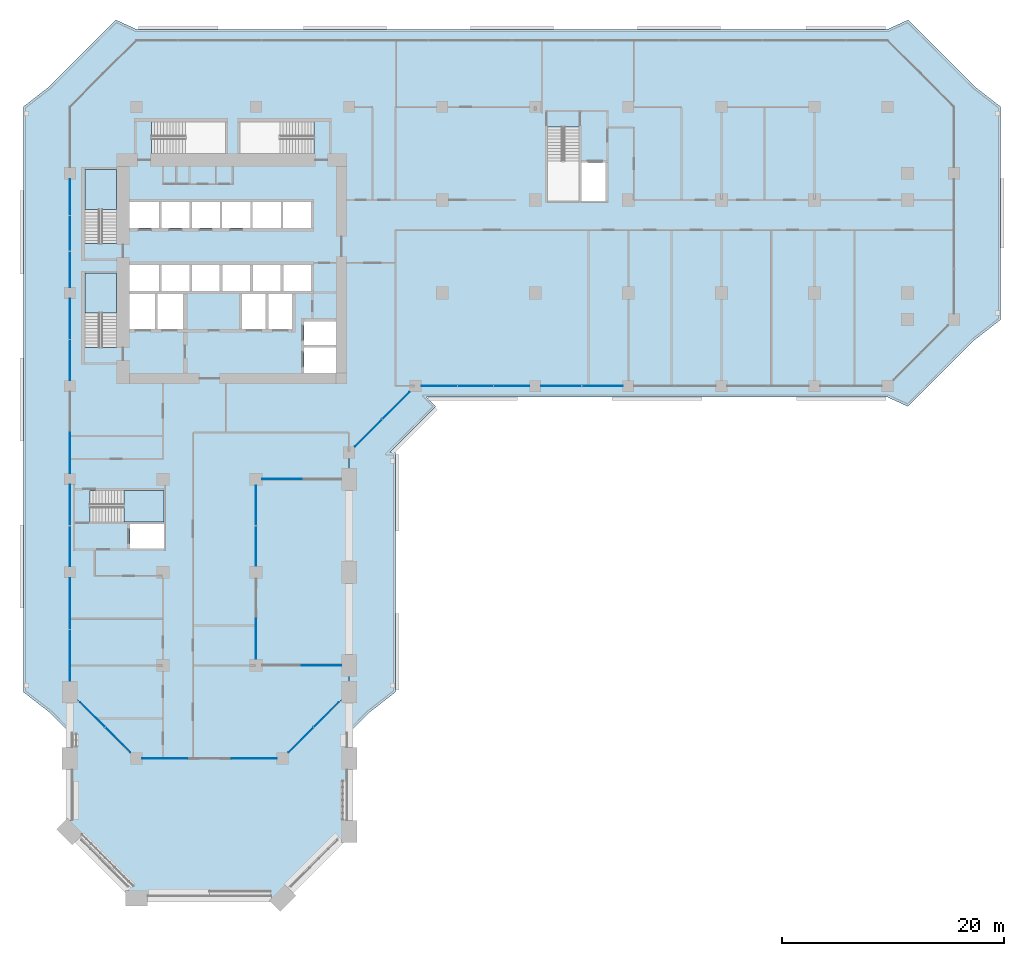
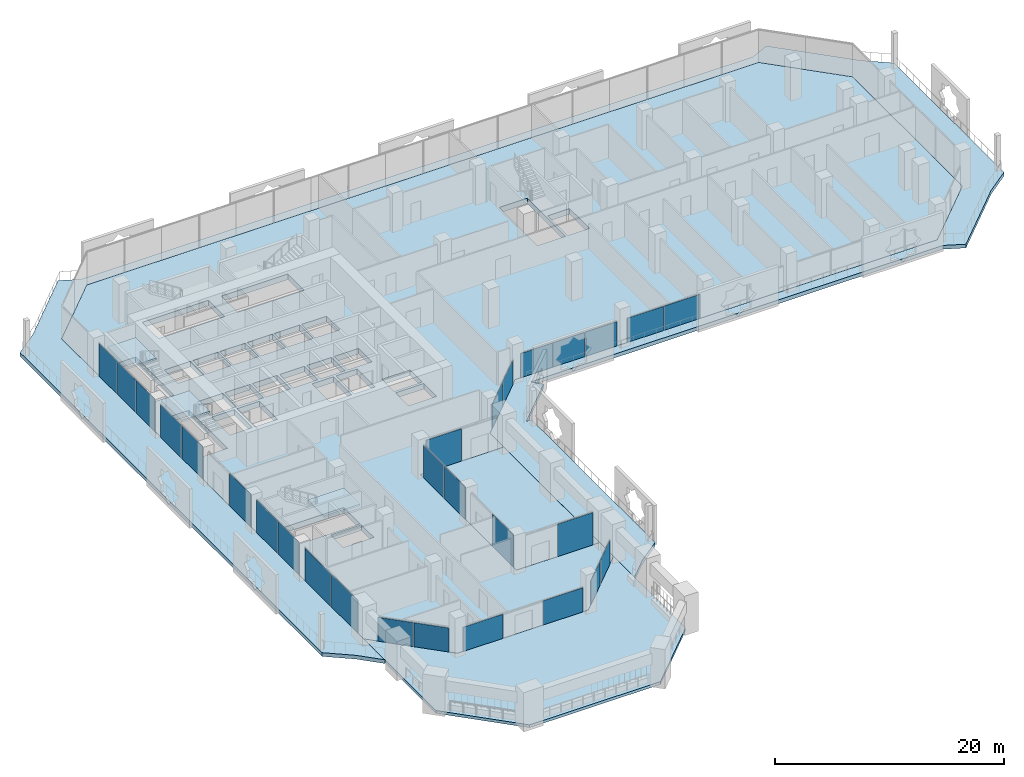
# One storey, part 11 of 25: 28 plates, 7 slabs, 12 elements without a shape of their own.
"""IFC4 building model written with IfcOpenShell, lengths in metres."""

from ifc_helpers import new_model, si_unit, direction, frame, origin, origin_2d, place, context, subcontext, project, spatial, polyline, rectangle, outline, extrude, material, layer, layer_set, type_object, element, aggregate, save


model = new_model("IFC4")

# Units and contexts
model_context = context("Model", 3, precision=1e-05, world=origin(), true_north=direction((0.0, 1.0)))
body_context = subcontext(model_context, "Body", "Model", "MODEL_VIEW")
ifc_project = project(units=[si_unit("LENGTHUNIT", "METRE"), si_unit("AREAUNIT", "SQUARE_METRE"), si_unit("VOLUMEUNIT", "CUBIC_METRE"), si_unit("PLANEANGLEUNIT", "RADIAN"), si_unit("MASSUNIT", "GRAM", prefix="KILO")], contexts=[model_context])

# Site, building, storey
site_placement = place(None, origin())
site = spatial("IfcSite", under=ifc_project, at=site_placement, CompositionType="ELEMENT")
building_placement = place(site_placement, origin())
building = spatial("IfcBuilding", under=site, at=building_placement, Name="Kawkab Arch Medical Tower", CompositionType="ELEMENT")
storey_placement = place(building_placement, frame((0.0, 0.0, 98.800048828125)))
storey = spatial("IfcBuildingStorey", under=building, at=storey_placement, Name="L22", CompositionType="ELEMENT", Elevation=98.800048828125)

# Curtain wall, plates
ifc_material_1 = material(Name="Bronze anodised aluminium curtain wall frame", Category="aluminium")
ifc_layer_1 = layer(ifc_material_1, 0.159912109375)
ifc_layer_set_1 = layer_set([ifc_layer_1], Name="Bronze anodised aluminium curtain wall frame")
curtain_wall_type_1 = type_object("IfcCurtainWallType", Name="CW1 ward curtain wall", PredefinedType="NOTDEFINED", material=ifc_layer_set_1)
placement_1 = place(storey_placement, origin())
curtain_wall_1 = element("IfcCurtainWall", 1, at=placement_1, inside=storey, type_object=curtain_wall_type_1, Name="CW1 Ward curtain wall R07", PredefinedType="NOTDEFINED")
ifc_material_2 = material(Name="Tinted insulating glass, bronze low-e coating", Category="glass")
ifc_layer_2 = layer(ifc_material_2, 0.031982421875)
ifc_layer_set_2 = layer_set([ifc_layer_2], Name="Tinted insulating glass, bronze low-e coating")
plate_type_1 = type_object("IfcPlateType", Name="CW1 glazing unit 32", PredefinedType="CURTAIN_PANEL", material=ifc_layer_set_2)
plate_1_placement = place(storey_placement, frame((33.355712890625, -25.199951171875, 0.0), z_axis=(0.0, 0.0, 1.0), x_axis=(1.0, 0.0, 0.0)))
plate_1 = element("IfcPlate", 2, at=plate_1_placement, type_object=plate_type_1, Name="CW1 glazing unit 1.1", PredefinedType="CURTAIN_PANEL", context=body_context, shape_type="SweptSolid", body=[
    extrude(rectangle(XDim=3.211669921875, YDim=0.031982421875, at=origin_2d()), origin(), (0.0, 0.0, 1.0), 2.580078125),
])
plate_2_placement = place(storey_placement, frame((36.612548828125, -25.199951171875, 0.0), z_axis=(0.0, 0.0, 1.0), x_axis=(1.0, 0.0, 0.0)))
plate_2 = element("IfcPlate", 3, at=plate_2_placement, type_object=plate_type_1, Name="CW1 glazing unit 1.2", PredefinedType="CURTAIN_PANEL", context=body_context, shape_type="SweptSolid", body=[
    extrude(rectangle(XDim=3.181640625, YDim=0.031982421875, at=origin_2d()), origin(), (0.0, 0.0, 1.0), 2.580078125),
])
plate_3_placement = place(storey_placement, frame((39.869140625, -25.199951171875, 0.0), z_axis=(0.0, 0.0, 1.0), x_axis=(1.0, 0.0, 0.0)))
plate_3 = element("IfcPlate", 4, at=plate_3_placement, type_object=plate_type_1, Name="CW1 glazing unit 1.3", PredefinedType="CURTAIN_PANEL", context=body_context, shape_type="SweptSolid", body=[
    extrude(rectangle(XDim=3.211669921875, YDim=0.031982421875, at=origin_2d()), origin(), (0.0, 0.0, 1.0), 2.580078125),
])
plate_4_placement = place(storey_placement, frame((44.347412109375, -25.199951171875, 0.0), z_axis=(0.0, 0.0, 1.0), x_axis=(1.0, 0.0, 0.0)))
plate_4 = element("IfcPlate", 5, at=plate_4_placement, type_object=plate_type_1, Name="CW1 glazing unit 2.1", PredefinedType="CURTAIN_PANEL", context=body_context, shape_type="SweptSolid", body=[
    extrude(rectangle(XDim=3.64501953125, YDim=0.031982421875, at=origin_2d()), origin(), (0.0, 0.0, 1.0), 2.580078125),
])
plate_5_placement = place(storey_placement, frame((48.052490234375, -25.199951171875, 0.0), z_axis=(0.0, 0.0, 1.0), x_axis=(1.0, 0.0, 0.0)))
plate_5 = element("IfcPlate", 6, at=plate_5_placement, type_object=plate_type_1, Name="CW1 glazing unit 2.2", PredefinedType="CURTAIN_PANEL", context=body_context, shape_type="SweptSolid", body=[
    extrude(rectangle(XDim=3.64501953125, YDim=0.031982421875, at=origin_2d()), origin(), (0.0, 0.0, 1.0), 2.580078125),
])
aggregate(curtain_wall_1, [plate_1, plate_2, plate_3, plate_4, plate_5])

curtain_wall_2 = element("IfcCurtainWall", 7, at=placement_1, inside=storey, type_object=curtain_wall_type_1, Name="CW1 Ward curtain wall R13", PredefinedType="NOTDEFINED")
plate_6_placement = place(storey_placement, frame((0.0, -8.15576171875, 0.0), z_axis=(0.0, 0.0, 1.0), x_axis=(0.0, -1.0, 0.0)))
plate_6 = element("IfcPlate", 8, at=plate_6_placement, type_object=plate_type_1, Name="CW1 glazing unit 2.1", PredefinedType="CURTAIN_PANEL", context=body_context, shape_type="SweptSolid", body=[
    extrude(rectangle(XDim=3.211669921875, YDim=0.031982421875, at=origin_2d()), origin(), (0.0, 0.0, 1.0), 3.47998046875),
])
plate_7_placement = place(storey_placement, frame((0.0, -11.41259765625, 0.0), z_axis=(0.0, 0.0, 1.0), x_axis=(0.0, -1.0, 0.0)))
plate_7 = element("IfcPlate", 9, at=plate_7_placement, type_object=plate_type_1, Name="CW1 glazing unit 2.2", PredefinedType="CURTAIN_PANEL", context=body_context, shape_type="SweptSolid", body=[
    extrude(rectangle(XDim=3.181640625, YDim=0.031982421875, at=origin_2d()), origin(), (0.0, 0.0, 1.0), 3.47998046875),
])
plate_8_placement = place(storey_placement, frame((0.0, -14.669189453125, 0.0), z_axis=(0.0, 0.0, 1.0), x_axis=(0.0, -1.0, 0.0)))
plate_8 = element("IfcPlate", 10, at=plate_8_placement, type_object=plate_type_1, Name="CW1 glazing unit 2.3", PredefinedType="CURTAIN_PANEL", context=body_context, shape_type="SweptSolid", body=[
    extrude(rectangle(XDim=3.211669921875, YDim=0.031982421875, at=origin_2d()), origin(), (0.0, 0.0, 1.0), 3.47998046875),
])
plate_9_placement = place(storey_placement, frame((0.0, -19.1474609375, 0.0), z_axis=(0.0, 0.0, 1.0), x_axis=(0.0, -1.0, 0.0)))
plate_9 = element("IfcPlate", 11, at=plate_9_placement, type_object=plate_type_1, Name="CW1 glazing unit 3.1", PredefinedType="CURTAIN_PANEL", context=body_context, shape_type="SweptSolid", body=[
    extrude(rectangle(XDim=3.64501953125, YDim=0.031982421875, at=origin_2d()), origin(), (0.0, 0.0, 1.0), 3.47998046875),
])
plate_10_placement = place(storey_placement, frame((0.0, -22.8525390625, 0.0), z_axis=(0.0, 0.0, 1.0), x_axis=(0.0, -1.0, 0.0)))
plate_10 = element("IfcPlate", 12, at=plate_10_placement, type_object=plate_type_1, Name="CW1 glazing unit 3.2", PredefinedType="CURTAIN_PANEL", context=body_context, shape_type="SweptSolid", body=[
    extrude(rectangle(XDim=3.64501953125, YDim=0.031982421875, at=origin_2d()), origin(), (0.0, 0.0, 1.0), 3.47998046875),
])
plate_11_placement = place(storey_placement, frame((0.0, -31.237548828125, 0.0), z_axis=(0.0, 0.0, 1.0), x_axis=(0.0, -1.0, 0.0)))
plate_11 = element("IfcPlate", 13, at=plate_11_placement, type_object=plate_type_1, Name="CW1 glazing unit 4.2", PredefinedType="CURTAIN_PANEL", context=body_context, shape_type="SweptSolid", body=[
    extrude(rectangle(XDim=3.675048828125, YDim=0.031982421875, at=origin_2d()), origin(), (0.0, 0.0, 1.0), 3.47998046875),
])
plate_12_placement = place(storey_placement, frame((0.0, -35.947509765625, 0.0), z_axis=(0.0, 0.0, 1.0), x_axis=(0.0, -1.0, 0.0)))
plate_12 = element("IfcPlate", 14, at=plate_12_placement, type_object=plate_type_1, Name="CW1 glazing unit 5.1", PredefinedType="CURTAIN_PANEL", context=body_context, shape_type="SweptSolid", body=[
    extrude(rectangle(XDim=3.64501953125, YDim=0.031982421875, at=origin_2d()), origin(), (0.0, 0.0, 1.0), 3.47998046875),
])
plate_13_placement = place(storey_placement, frame((0.0, -39.652587890625, 0.0), z_axis=(0.0, 0.0, 1.0), x_axis=(0.0, -1.0, 0.0)))
plate_13 = element("IfcPlate", 15, at=plate_13_placement, type_object=plate_type_1, Name="CW1 glazing unit 5.2", PredefinedType="CURTAIN_PANEL", context=body_context, shape_type="SweptSolid", body=[
    extrude(rectangle(XDim=3.64501953125, YDim=0.031982421875, at=origin_2d()), origin(), (0.0, 0.0, 1.0), 3.47998046875),
])
plate_14_placement = place(storey_placement, frame((0.0, -44.828857421875, 0.0), z_axis=(0.0, 0.0, 1.0), x_axis=(0.0, -1.0, 0.0)))
plate_14 = element("IfcPlate", 16, at=plate_14_placement, type_object=plate_type_1, Name="CW1 glazing unit 6.1", PredefinedType="CURTAIN_PANEL", context=body_context, shape_type="SweptSolid", body=[
    extrude(rectangle(XDim=4.607421875, YDim=0.031982421875, at=origin_2d()), origin(), (0.0, 0.0, 1.0), 3.47998046875),
])
plate_15_placement = place(storey_placement, frame((0.0, -49.496337890625, 0.0), z_axis=(0.0, 0.0, 1.0), x_axis=(0.0, -1.0, 0.0)))
plate_15 = element("IfcPlate", 17, at=plate_15_placement, type_object=plate_type_1, Name="CW1 glazing unit 6.2", PredefinedType="CURTAIN_PANEL", context=body_context, shape_type="SweptSolid", body=[
    extrude(rectangle(XDim=4.607421875, YDim=0.031982421875, at=origin_2d()), origin(), (0.0, 0.0, 1.0), 3.47998046875),
])
aggregate(curtain_wall_2, [plate_6, plate_7, plate_8, plate_9, plate_10, plate_11, plate_12, plate_13, plate_14, plate_15])

curtain_wall_3 = element("IfcCurtainWall", 18, at=placement_1, inside=storey, type_object=curtain_wall_type_1, Name="CW1 Ward curtain wall R15", PredefinedType="NOTDEFINED")
plate_16_placement = place(storey_placement, frame((8.566650390625, -58.800048828125, 0.0), z_axis=(0.0, 0.0, 1.0), x_axis=(1.0, 0.0, 0.0)))
plate_16 = element("IfcPlate", 19, at=plate_16_placement, type_object=plate_type_1, Name="CW1 glazing unit 1.1", PredefinedType="CURTAIN_PANEL", context=body_context, shape_type="SweptSolid", body=[
    extrude(rectangle(XDim=4.033447265625, YDim=0.031982421875, at=origin_2d()), origin(), (0.0, 0.0, 1.0), 2.580078125),
])
plate_17_placement = place(storey_placement, frame((16.63330078125, -58.800048828125, 0.0), z_axis=(0.0, 0.0, 1.0), x_axis=(1.0, 0.0, 0.0)))
plate_17 = element("IfcPlate", 20, at=plate_17_placement, type_object=plate_type_1, Name="CW1 glazing unit 1.3", PredefinedType="CURTAIN_PANEL", context=body_context, shape_type="SweptSolid", body=[
    extrude(rectangle(XDim=4.033447265625, YDim=0.031982421875, at=origin_2d()), origin(), (0.0, 0.0, 1.0), 2.580078125),
])
aggregate(curtain_wall_3, [plate_16, plate_17])

ifc_material_3 = material(Name="Bronze anodised aluminium curtain wall frame", Category="aluminium")
ifc_layer_3 = layer(ifc_material_3, 0.159912109375)
ifc_layer_set_3 = layer_set([ifc_layer_3], Name="Bronze anodised aluminium curtain wall frame")
curtain_wall_type_2 = type_object("IfcCurtainWallType", Name="CW2 chamfer curtain wall", PredefinedType="NOTDEFINED", material=ifc_layer_set_3)
curtain_wall_4 = element("IfcCurtainWall", 21, at=placement_1, inside=storey, type_object=curtain_wall_type_2, Name="CW2 Chamfer curtain wall R06", PredefinedType="NOTDEFINED")
ifc_material_4 = material(Name="Tinted insulating glass, bronze low-e coating", Category="glass")
ifc_layer_4 = layer(ifc_material_4, 0.031982421875)
ifc_layer_set_4 = layer_set([ifc_layer_4], Name="Tinted insulating glass, bronze low-e coating")
plate_type_2 = type_object("IfcPlateType", Name="CW2 glazing unit 32", PredefinedType="CURTAIN_PANEL", material=ifc_layer_set_4)
plate_18_placement = place(storey_placement, frame((26.96435546875, -29.435546875, 0.0), z_axis=(0.0, 0.0, 1.0), x_axis=(0.707106781187, 0.707106781187, 0.0)))
plate_18 = element("IfcPlate", 22, at=plate_18_placement, type_object=plate_type_2, Name="CW2 glazing unit 1.1", PredefinedType="CURTAIN_PANEL", context=body_context, shape_type="SweptSolid", body=[
    extrude(rectangle(XDim=3.434814453125, YDim=0.031982421875, at=origin_2d()), origin(), (0.0, 0.0, 1.0), 2.56005859375),
])
plate_19_placement = place(storey_placement, frame((29.435546875, -26.96435546875, 0.0), z_axis=(0.0, 0.0, 1.0), x_axis=(0.707106781187, 0.707106781187, 0.0)))
plate_19 = element("IfcPlate", 23, at=plate_19_placement, type_object=plate_type_2, Name="CW2 glazing unit 1.2", PredefinedType="CURTAIN_PANEL", context=body_context, shape_type="SweptSolid", body=[
    extrude(rectangle(XDim=3.434814453125, YDim=0.031982421875, at=origin_2d()), origin(), (0.0, 0.0, 1.0), 2.56005859375),
])
aggregate(curtain_wall_4, [plate_18, plate_19])

curtain_wall_5 = element("IfcCurtainWall", 24, at=placement_1, inside=storey, type_object=curtain_wall_type_2, Name="CW2 Chamfer curtain wall R14", PredefinedType="NOTDEFINED")
plate_20_placement = place(storey_placement, frame((2.049560546875, -54.849609375, 0.0), z_axis=(0.0, 0.0, 1.0), x_axis=(0.707106781187, -0.707106781187, 0.0)))
plate_20 = element("IfcPlate", 25, at=plate_20_placement, type_object=plate_type_2, Name="CW2 glazing unit 1.1", PredefinedType="CURTAIN_PANEL", context=body_context, shape_type="SweptSolid", body=[
    extrude(rectangle(XDim=3.165771484375, YDim=0.031982421875, at=origin_2d()), origin(), (0.0, 0.0, 1.0), 2.56005859375),
])
plate_21_placement = place(storey_placement, frame((4.330810546875, -57.130615234375, 0.0), z_axis=(0.0, 0.0, 1.0), x_axis=(0.707106781187, -0.707106781187, 0.0)))
plate_21 = element("IfcPlate", 26, at=plate_21_placement, type_object=plate_type_2, Name="CW2 glazing unit 1.2", PredefinedType="CURTAIN_PANEL", context=body_context, shape_type="SweptSolid", body=[
    extrude(rectangle(XDim=3.165771484375, YDim=0.031982421875, at=origin_2d()), origin(), (0.0, 0.0, 1.0), 2.56005859375),
])
aggregate(curtain_wall_5, [plate_20, plate_21])

curtain_wall_6 = element("IfcCurtainWall", 27, at=placement_1, inside=storey, type_object=curtain_wall_type_2, Name="CW2 Chamfer curtain wall R16", PredefinedType="NOTDEFINED")
plate_22_placement = place(storey_placement, frame((20.869384765625, -57.130615234375, 0.0), z_axis=(0.0, 0.0, 1.0), x_axis=(0.707106781187, 0.707106781187, 0.0)))
plate_22 = element("IfcPlate", 28, at=plate_22_placement, type_object=plate_type_2, Name="CW2 glazing unit 1.1", PredefinedType="CURTAIN_PANEL", context=body_context, shape_type="SweptSolid", body=[
    extrude(rectangle(XDim=3.165771484375, YDim=0.031982421875, at=origin_2d()), origin(), (0.0, 0.0, 1.0), 2.56005859375),
])
plate_23_placement = place(storey_placement, frame((23.150390625, -54.849609375, 0.0), z_axis=(0.0, 0.0, 1.0), x_axis=(0.707106781187, 0.707106781187, 0.0)))
plate_23 = element("IfcPlate", 29, at=plate_23_placement, type_object=plate_type_2, Name="CW2 glazing unit 1.2", PredefinedType="CURTAIN_PANEL", context=body_context, shape_type="SweptSolid", body=[
    extrude(rectangle(XDim=3.165771484375, YDim=0.031982421875, at=origin_2d()), origin(), (0.0, 0.0, 1.0), 2.56005859375),
])
aggregate(curtain_wall_6, [plate_22, plate_23])

# Curtain wall, plate
ifc_material_5 = material(Name="Bronze anodised aluminium curtain wall frame", Category="aluminium")
ifc_layer_5 = layer(ifc_material_5, 0.159912109375)
ifc_layer_set_5 = layer_set([ifc_layer_5], Name="Bronze anodised aluminium curtain wall frame")
curtain_wall_type_3 = type_object("IfcCurtainWallType", Name="CW3 sky garden curtain wall", PredefinedType="NOTDEFINED", material=ifc_layer_set_5)
curtain_wall_7 = element("IfcCurtainWall", 30, at=placement_1, inside=storey, type_object=curtain_wall_type_3, Name="CW3 Sky garden curtain wall R02", PredefinedType="NOTDEFINED")
ifc_material_6 = material(Name="Tinted laminated insulating glass, grey-green", Category="glass")
ifc_layer_6 = layer(ifc_material_6, 0.035888671875)
ifc_layer_set_6 = layer_set([ifc_layer_6], Name="Tinted laminated insulating glass, grey-green")
plate_type_3 = type_object("IfcPlateType", Name="CW3 glazing unit 36", PredefinedType="CURTAIN_PANEL", material=ifc_layer_set_6)
plate_24_placement = place(storey_placement, frame((22.71875, -50.39990234375, 0.0), z_axis=(0.0, 0.0, 1.0), x_axis=(-1.0, 0.0, 0.0)))
plate_24 = element("IfcPlate", 31, at=plate_24_placement, type_object=plate_type_3, Name="CW3 glazing unit 1.1", PredefinedType="CURTAIN_PANEL", context=body_context, shape_type="SweptSolid", body=[
    extrude(rectangle(XDim=3.5625, YDim=0.035888671875, at=origin_2d()), origin(), (0.0, 0.0, 1.0), 3.4599609375),
])
aggregate(curtain_wall_7, [plate_24])

# Curtain wall, plates
curtain_wall_8 = element("IfcCurtainWall", 32, at=placement_1, inside=storey, type_object=curtain_wall_type_3, Name="CW3 Sky garden curtain wall R03", PredefinedType="NOTDEFINED")
plate_25_placement = place(storey_placement, frame((16.800048828125, -48.012451171875, 0.0), z_axis=(0.0, 0.0, 1.0), x_axis=(0.0, 1.0, 0.0)))
plate_25 = element("IfcPlate", 33, at=plate_25_placement, type_object=plate_type_3, Name="CW3 glazing unit 1.1", PredefinedType="CURTAIN_PANEL", context=body_context, shape_type="SweptSolid", body=[
    extrude(rectangle(XDim=3.625, YDim=0.035888671875, at=origin_2d()), origin(), (0.0, 0.0, 1.0), 3.4599609375),
])
plate_26_placement = place(storey_placement, frame((16.800048828125, -39.6298828125, 0.0), z_axis=(0.0, 0.0, 1.0), x_axis=(0.0, 1.0, 0.0)))
plate_26 = element("IfcPlate", 34, at=plate_26_placement, type_object=plate_type_3, Name="CW3 glazing unit 2.1", PredefinedType="CURTAIN_PANEL", context=body_context, shape_type="SweptSolid", body=[
    extrude(rectangle(XDim=3.590087890625, YDim=0.035888671875, at=origin_2d()), origin(), (0.0, 0.0, 1.0), 3.4599609375),
])
plate_27_placement = place(storey_placement, frame((16.800048828125, -35.969970703125, 0.0), z_axis=(0.0, 0.0, 1.0), x_axis=(0.0, 1.0, 0.0)))
plate_27 = element("IfcPlate", 35, at=plate_27_placement, type_object=plate_type_3, Name="CW3 glazing unit 2.2", PredefinedType="CURTAIN_PANEL", context=body_context, shape_type="SweptSolid", body=[
    extrude(rectangle(XDim=3.590087890625, YDim=0.035888671875, at=origin_2d()), origin(), (0.0, 0.0, 1.0), 3.4599609375),
])
aggregate(curtain_wall_8, [plate_25, plate_26, plate_27])

# Curtain wall, plate
curtain_wall_9 = element("IfcCurtainWall", 36, at=placement_1, inside=storey, type_object=curtain_wall_type_3, Name="CW3 Sky garden curtain wall R04", PredefinedType="NOTDEFINED")
plate_28_placement = place(storey_placement, frame((19.15625, -33.60009765625, 0.0), z_axis=(0.0, 0.0, 1.0), x_axis=(1.0, 0.0, 0.0)))
plate_28 = element("IfcPlate", 37, at=plate_28_placement, type_object=plate_type_3, Name="CW3 glazing unit 1.1", PredefinedType="CURTAIN_PANEL", context=body_context, shape_type="SweptSolid", body=[
    extrude(rectangle(XDim=3.5625, YDim=0.035888671875, at=origin_2d()), origin(), (0.0, 0.0, 1.0), 3.4599609375),
])
aggregate(curtain_wall_9, [plate_28])

# Stair, slab
ifc_material_7 = material(Name="Concrete C40/50", Category="concrete")
stair_type = type_object("IfcStairType", Name="Exit stair 1350", PredefinedType="HALF_TURN_STAIR", material=ifc_material_7)
stair_1 = element("IfcStair", 38, at=placement_1, inside=storey, type_object=stair_type, Name="L22 Exit stair ST1", PredefinedType="HALF_TURN_STAIR")
ifc_material_8 = material(Name="Concrete C40/50", Category="concrete")
ifc_layer_7 = layer(ifc_material_8, 0.199951171875)
ifc_layer_set_7 = layer_set([ifc_layer_7], Name="Concrete C40/50")
slab_type_1 = type_object("IfcSlabType", Name="Exit stair landing 200", PredefinedType="LANDING", material=ifc_layer_set_7)
placement_2 = place(storey_placement, frame((0.0, 0.0, 1.89990234375)))
slab_1 = element("IfcSlab", 39, at=placement_2, type_object=slab_type_1, Name="ST1 landing 1", PredefinedType="LANDING", context=body_context, shape_type="SweptSolid", body=[
    extrude(outline(polyline([(4.199951171875, -9.27001953125), (4.199951171875, -5.64990234375), (1.35009765625, -5.64990234375), (1.35009765625, -9.27001953125), (4.199951171875, -9.27001953125)])), origin(), (0.0, 0.0, 1.0), 0.199951171875),
])
aggregate(stair_1, [slab_1])

stair_2 = element("IfcStair", 40, at=placement_1, inside=storey, type_object=stair_type, Name="L22 Exit stair ST2", PredefinedType="HALF_TURN_STAIR")
slab_2 = element("IfcSlab", 41, at=placement_2, type_object=slab_type_1, Name="ST2 landing 1", PredefinedType="LANDING", context=body_context, shape_type="SweptSolid", body=[
    extrude(outline(polyline([(4.199951171875, -18.6201171875), (4.199951171875, -15.0), (1.35009765625, -15.0), (1.35009765625, -18.6201171875), (4.199951171875, -18.6201171875)])), origin(), (0.0, 0.0, 1.0), 0.199951171875),
])
aggregate(stair_2, [slab_2])

stair_3 = element("IfcStair", 42, at=placement_1, inside=storey, type_object=stair_type, Name="L22 Exit stair ST6", PredefinedType="HALF_TURN_STAIR")
slab_3 = element("IfcSlab", 43, at=placement_2, type_object=slab_type_1, Name="ST6 landing 1", PredefinedType="LANDING", context=body_context, shape_type="SweptSolid", body=[
    extrude(outline(polyline([(4.8798828125, -37.449951171875), (8.5, -37.449951171875), (8.5, -34.60009765625), (4.8798828125, -34.60009765625), (4.8798828125, -37.449951171875)])), origin(), (0.0, 0.0, 1.0), 0.199951171875),
])
aggregate(stair_3, [slab_3])

# Slabs
ifc_material_9 = material(Name="Concrete C45/55", Category="concrete")
ifc_layer_8 = layer(ifc_material_9, 0.60009765625)
ifc_layer_set_8 = layer_set([ifc_layer_8], Name="Concrete C45/55")
slab_type_2 = type_object("IfcSlabType", Name="Flat plate 600 C45/55", PredefinedType="FLOOR", material=ifc_layer_set_8)
slab_4_placement = place(storey_placement, frame((0.0, 0.0, -0.60009765625)))
element("IfcSlab", 44, at=slab_4_placement, inside=storey, type_object=slab_type_2, Name="Floor slab L22", PredefinedType="FLOOR", context=body_context, shape_type="SweptSolid", body=[
    extrude(outline(polyline([(19.199951171875, -58.800048828125), (6.0, -58.800048828125), (0.0, -52.800048828125), (0.0, 0.0), (6.0, 6.0), (73.800048828125, 6.0), (79.800048828125, 0.0), (79.800048828125, -19.199951171875), (73.800048828125, -25.199951171875), (31.199951171875, -25.199951171875), (25.199951171875, -31.199951171875), (25.199951171875, -33.60009765625), (16.800048828125, -33.60009765625), (16.800048828125, -50.39990234375), (25.199951171875, -50.39990234375), (25.199951171875, -52.800048828125), (19.199951171875, -58.800048828125)]), holes=[polyline([(5.425048828125, -37.64990234375), (5.425048828125, -39.85009765625), (8.5, -39.85009765625), (8.5, -37.64990234375), (5.425048828125, -37.64990234375)]), polyline([(1.800048828125, -37.449951171875), (8.5, -37.449951171875), (8.5, -34.60009765625), (1.800048828125, -34.60009765625), (1.800048828125, -37.449951171875)]), polyline([(5.39990234375, -16.89990234375), (5.39990234375, -20.050048828125), (7.675048828125, -20.050048828125), (7.675048828125, -16.89990234375), (5.39990234375, -16.89990234375)]), polyline([(10.199951171875, -16.89990234375), (7.925048828125, -16.89990234375), (7.925048828125, -20.050048828125), (10.199951171875, -20.050048828125), (10.199951171875, -16.89990234375)]), polyline([(4.199951171875, -21.699951171875), (4.199951171875, -15.0), (1.35009765625, -15.0), (1.35009765625, -21.699951171875), (4.199951171875, -21.699951171875)]), polyline([(5.39990234375, -14.25), (5.39990234375, -16.60009765625), (8.050048828125, -16.60009765625), (8.050048828125, -14.25), (5.39990234375, -14.25)]), polyline([(10.800048828125, -14.25), (8.25, -14.25), (8.25, -16.60009765625), (10.800048828125, -16.60009765625), (10.800048828125, -14.25)]), polyline([(11.0, -14.25), (11.0, -16.60009765625), (13.52490234375, -16.60009765625), (13.52490234375, -14.25), (11.0, -14.25)]), polyline([(5.39990234375, -8.60009765625), (5.39990234375, -10.949951171875), (8.050048828125, -10.949951171875), (8.050048828125, -8.60009765625), (5.39990234375, -8.60009765625)]), polyline([(10.800048828125, -8.60009765625), (8.25, -8.60009765625), (8.25, -10.949951171875), (10.800048828125, -10.949951171875), (10.800048828125, -8.60009765625)]), polyline([(11.0, -10.949951171875), (13.550048828125, -10.949951171875), (13.550048828125, -8.60009765625), (11.0, -8.60009765625), (11.0, -10.949951171875)]), polyline([(4.199951171875, -12.35009765625), (4.199951171875, -5.64990234375), (1.35009765625, -5.64990234375), (1.35009765625, -12.35009765625), (4.199951171875, -12.35009765625)]), polyline([(7.35009765625, -4.199951171875), (14.050048828125, -4.199951171875), (14.050048828125, -1.35009765625), (7.35009765625, -1.35009765625), (7.35009765625, -4.199951171875)]), polyline([(24.0, -21.72509765625), (21.14990234375, -21.72509765625), (21.14990234375, -24.0), (24.0, -24.0), (24.0, -21.72509765625)]), polyline([(24.0, -21.47509765625), (24.0, -19.35009765625), (21.14990234375, -19.35009765625), (21.14990234375, -21.47509765625), (24.0, -21.47509765625)]), polyline([(15.52490234375, -16.89990234375), (15.52490234375, -20.050048828125), (17.675048828125, -20.050048828125), (17.675048828125, -16.89990234375), (15.52490234375, -16.89990234375)]), polyline([(17.925048828125, -20.050048828125), (20.050048828125, -20.050048828125), (20.050048828125, -16.89990234375), (17.925048828125, -16.89990234375), (17.925048828125, -20.050048828125)]), polyline([(16.27490234375, -14.25), (13.77490234375, -14.25), (13.77490234375, -16.60009765625), (16.27490234375, -16.60009765625), (16.27490234375, -14.25)]), polyline([(19.02490234375, -14.25), (16.52490234375, -14.25), (16.52490234375, -16.60009765625), (19.02490234375, -16.60009765625), (19.02490234375, -14.25)]), polyline([(19.27490234375, -16.60009765625), (21.75, -16.60009765625), (21.75, -14.25), (19.27490234375, -14.25), (19.27490234375, -16.60009765625)]), polyline([(13.75, -8.60009765625), (13.75, -10.949951171875), (16.300048828125, -10.949951171875), (16.300048828125, -8.60009765625), (13.75, -8.60009765625)]), polyline([(16.5, -8.60009765625), (16.5, -10.949951171875), (19.050048828125, -10.949951171875), (19.050048828125, -8.60009765625), (16.5, -8.60009765625)]), polyline([(19.25, -10.949951171875), (21.75, -10.949951171875), (21.75, -8.60009765625), (19.25, -8.60009765625), (19.25, -10.949951171875)]), polyline([(46.14990234375, -5.02490234375), (46.14990234375, -8.5), (48.35009765625, -8.5), (48.35009765625, -5.02490234375), (46.14990234375, -5.02490234375)]), polyline([(43.10009765625, -1.800048828125), (43.10009765625, -8.5), (45.949951171875, -8.5), (45.949951171875, -1.800048828125), (43.10009765625, -1.800048828125)]), polyline([(22.050048828125, -1.35009765625), (15.35009765625, -1.35009765625), (15.35009765625, -4.199951171875), (22.050048828125, -4.199951171875), (22.050048828125, -1.35009765625)])]), origin(), (0.0, 0.0, 1.0), 0.60009765625),
])
ifc_material_10 = material(Name="Concrete C40/50", Category="concrete")
ifc_layer_9 = layer(ifc_material_10, 0.39990234375)
ifc_layer_set_9 = layer_set([ifc_layer_9], Name="Concrete C40/50")
slab_type_3 = type_object("IfcSlabType", Name="Loggia slab 400", PredefinedType="FLOOR", material=ifc_layer_set_9)
slab_5_placement = place(storey_placement, frame((0.0, 0.0, -0.400146484375)))
element("IfcSlab", 45, at=slab_5_placement, inside=storey, type_object=slab_type_3, Name="Loggia slab L22.2", PredefinedType="FLOOR", context=body_context, shape_type="SweptSolid", body=[
    extrude(outline(polyline([(-4.199951171875, -52.799072265625), (-4.199951171875, -0.0009765625), (-4.198974609375, -0.0009765625), (-4.198974609375, 0.0009765625), (-1.837890625, 1.837890625), (4.1630859375, 7.837890625), (6.0, 7.0), (73.800048828125, 7.0), (75.636962890625, 7.837890625), (81.637939453125, 1.837890625), (83.9990234375, 0.0009765625), (83.9990234375, -0.0009765625), (84.0, -0.0009765625), (84.0, -19.198974609375), (83.9990234375, -19.198974609375), (83.9990234375, -19.200927734375), (81.637939453125, -21.0380859375), (75.636962890625, -27.0380859375), (73.800048828125, -26.199951171875), (32.198974609375, -26.199951171875), (33.035888671875, -27.0380859375), (28.8759765625, -31.199951171875), (29.39892578125, -31.199951171875), (29.39892578125, -31.200927734375), (29.39990234375, -31.200927734375), (29.39990234375, -52.799072265625), (29.39892578125, -52.799072265625), (29.39892578125, -52.801025390625), (27.0380859375, -54.637939453125), (25.200927734375, -56.47412109375), (25.200927734375, -52.820068359375), (25.199951171875, -52.820068359375), (25.199951171875, -52.818115234375), (25.197021484375, -52.81494140625), (25.195068359375, -52.81494140625), (25.195068359375, -52.81396484375), (25.18896484375, -52.81396484375), (25.18896484375, -52.81298828125), (25.199951171875, -52.800048828125), (25.199951171875, -50.39404296875), (25.200927734375, -50.39404296875), (25.200927734375, -33.60595703125), (25.199951171875, -33.60595703125), (25.199951171875, -31.200927734375), (31.200927734375, -25.199951171875), (73.800048828125, -25.199951171875), (79.800048828125, -19.199951171875), (79.800048828125, 0.0), (73.800048828125, 6.0), (6.0, 6.0), (-0.0009765625, 0.0), (-0.0009765625, -52.801025390625), (0.0009765625, -52.801025390625), (0.010986328125, -52.81298828125), (0.010986328125, -52.81396484375), (0.0048828125, -52.81396484375), (0.0048828125, -52.81494140625), (0.001953125, -52.81591796875), (0.0, -52.818115234375), (0.0, -52.820068359375), (-0.0009765625, -52.820068359375), (-0.0009765625, -56.47412109375), (-1.837890625, -54.637939453125), (-4.198974609375, -52.801025390625), (-4.198974609375, -52.799072265625), (-4.199951171875, -52.799072265625)])), origin(), (0.0, 0.0, 1.0), 0.400146484375),
])
ifc_material_11 = material(Name="Concrete C40/50", Category="concrete")
ifc_layer_10 = layer(ifc_material_11, 0.300048828125)
ifc_layer_set_10 = layer_set([ifc_layer_10], Name="Concrete C40/50")
slab_type_4 = type_object("IfcSlabType", Name="Terrace slab 300", PredefinedType="FLOOR", material=ifc_layer_set_10)
placement_3 = place(storey_placement, frame((0.0, 0.0, -0.300048828125)))
element("IfcSlab", 46, at=placement_3, inside=storey, type_object=slab_type_4, Name="Sky garden slab L22.1", PredefinedType="FLOOR", context=body_context, shape_type="SweptSolid", body=[
    extrude(outline(polyline([(25.199951171875, -65.39794921875), (25.199951171875, -65.39697265625), (25.199951171875, -65.39599609375), (25.199951171875, -52.824951171875), (25.199951171875, -52.823974609375), (25.199951171875, -52.822998046875), (25.199951171875, -52.822021484375), (25.198974609375, -52.821044921875), (25.198974609375, -52.820068359375), (25.197998046875, -52.819091796875), (25.197021484375, -52.818115234375), (25.196044921875, -52.81689453125), (25.195068359375, -52.81591796875), (25.194091796875, -52.81591796875), (25.193115234375, -52.81494140625), (25.19189453125, -52.81494140625), (25.19091796875, -52.81494140625), (25.18994140625, -52.81494140625), (25.18896484375, -52.81494140625), (25.18798828125, -52.81494140625), (25.18701171875, -52.81494140625), (25.18603515625, -52.81591796875), (25.18505859375, -52.81591796875), (25.18408203125, -52.81689453125), (25.18310546875, -52.818115234375), (19.199951171875, -58.800048828125), (6.0, -58.800048828125), (0.01708984375, -52.818115234375), (0.01611328125, -52.81689453125), (0.014892578125, -52.81591796875), (0.013916015625, -52.81591796875), (0.012939453125, -52.81494140625), (0.011962890625, -52.81494140625), (0.010986328125, -52.81494140625), (0.010009765625, -52.81494140625), (0.009033203125, -52.81494140625), (0.008056640625, -52.81494140625), (0.007080078125, -52.81494140625), (0.006103515625, -52.81591796875), (0.0048828125, -52.81591796875), (0.00390625, -52.81689453125), (0.0029296875, -52.818115234375), (0.001953125, -52.819091796875), (0.0009765625, -52.820068359375), (0.0009765625, -52.821044921875), (0.0, -52.822021484375), (0.0, -52.822998046875), (0.0, -52.823974609375), (0.0, -52.824951171875), (0.0, -65.39599609375), (0.0, -65.39697265625), (0.0, -65.39794921875), (0.0, -65.39892578125), (0.0009765625, -65.39990234375), (0.0009765625, -65.40087890625), (0.001953125, -65.40087890625), (0.001953125, -65.402099609375), (0.0029296875, -65.403076171875), (5.9970703125, -71.39697265625), (5.998046875, -71.39794921875), (5.9990234375, -71.39794921875), (5.9990234375, -71.39892578125), (6.0, -71.39892578125), (6.0009765625, -71.39990234375), (6.001953125, -71.39990234375), (6.0029296875, -71.39990234375), (6.00390625, -71.39990234375), (19.196044921875, -71.39990234375), (19.197021484375, -71.39990234375), (19.197998046875, -71.39990234375), (19.198974609375, -71.39990234375), (19.199951171875, -71.39892578125), (19.200927734375, -71.39892578125), (19.200927734375, -71.39794921875), (19.201904296875, -71.39794921875), (19.202880859375, -71.39697265625), (25.197021484375, -65.403076171875), (25.197998046875, -65.402099609375), (25.197998046875, -65.40087890625), (25.198974609375, -65.40087890625), (25.198974609375, -65.39990234375), (25.199951171875, -65.39892578125), (25.199951171875, -65.39794921875)])), origin(), (0.0, 0.0, 1.0), 0.300048828125),
])
element("IfcSlab", 47, at=placement_3, inside=storey, type_object=slab_type_4, Name="Sky garden slab L22.1", PredefinedType="FLOOR", context=body_context, shape_type="SweptSolid", body=[
    extrude(outline(polyline([(25.199951171875, -50.39111328125), (25.199951171875, -50.389892578125), (25.199951171875, -50.388916015625), (25.199951171875, -33.611083984375), (25.199951171875, -33.610107421875), (25.199951171875, -33.60888671875), (25.199951171875, -33.60791015625), (25.198974609375, -33.60693359375), (25.198974609375, -33.60595703125), (25.197998046875, -33.60498046875), (25.197998046875, -33.60400390625), (25.197021484375, -33.60302734375), (25.196044921875, -33.60302734375), (25.196044921875, -33.60205078125), (25.195068359375, -33.60205078125), (25.194091796875, -33.60107421875), (25.193115234375, -33.60107421875), (25.19189453125, -33.60107421875), (25.19091796875, -33.60107421875), (25.18994140625, -33.60107421875), (16.81103515625, -33.60107421875), (16.81005859375, -33.60107421875), (16.80908203125, -33.60107421875), (16.80810546875, -33.60107421875), (16.806884765625, -33.60107421875), (16.805908203125, -33.60205078125), (16.804931640625, -33.60205078125), (16.803955078125, -33.60302734375), (16.802978515625, -33.60302734375), (16.802978515625, -33.60400390625), (16.802001953125, -33.60498046875), (16.802001953125, -33.60595703125), (16.801025390625, -33.60693359375), (16.801025390625, -33.60791015625), (16.801025390625, -33.60888671875), (16.801025390625, -33.610107421875), (16.800048828125, -33.611083984375), (16.800048828125, -50.388916015625), (16.801025390625, -50.389892578125), (16.801025390625, -50.39111328125), (16.801025390625, -50.39208984375), (16.801025390625, -50.39306640625), (16.802001953125, -50.39404296875), (16.802001953125, -50.39501953125), (16.802978515625, -50.39599609375), (16.802978515625, -50.39697265625), (16.803955078125, -50.39697265625), (16.804931640625, -50.39794921875), (16.805908203125, -50.39794921875), (16.806884765625, -50.39892578125), (16.80810546875, -50.39892578125), (16.80908203125, -50.39892578125), (16.81005859375, -50.39892578125), (16.81103515625, -50.39892578125), (25.18994140625, -50.39892578125), (25.19091796875, -50.39892578125), (25.19189453125, -50.39892578125), (25.193115234375, -50.39892578125), (25.194091796875, -50.39892578125), (25.195068359375, -50.39794921875), (25.196044921875, -50.39794921875), (25.196044921875, -50.39697265625), (25.197021484375, -50.39697265625), (25.197998046875, -50.39599609375), (25.197998046875, -50.39501953125), (25.198974609375, -50.39404296875), (25.198974609375, -50.39306640625), (25.199951171875, -50.39208984375), (25.199951171875, -50.39111328125)])), origin(), (0.0, 0.0, 1.0), 0.300048828125),
])

save(model, "model.ifc")
